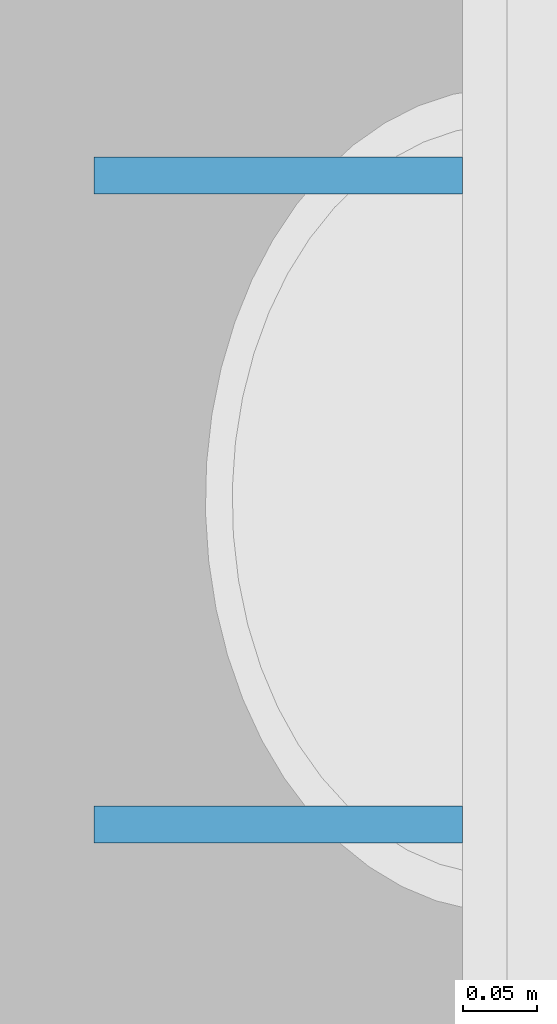
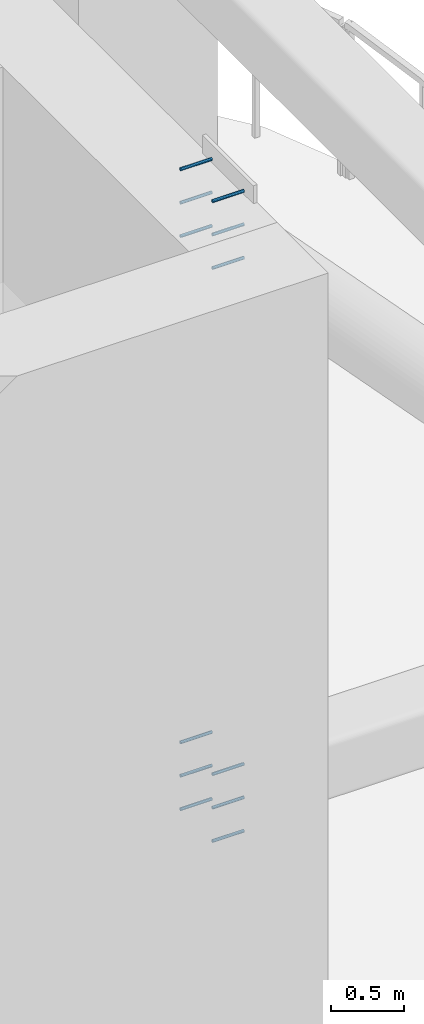
# One storey, part 8 of 11: 12 discrete accessories.
"""IFC4 building model written with IfcOpenShell, lengths in metres."""

from ifc_helpers import new_model, si_unit, direction, frame, origin, origin_2d, place, context, subcontext, project, spatial, circle, extrude, source, transform, mapped, material, material_profile, profile_set, type_object, element, save


model = new_model("IFC4")

# Units and contexts
model_context = context("Model", 3, precision=1e-05, world=origin(), true_north=direction((0.0, 1.0)))
body_context = subcontext(model_context, "Body", "Model", "MODEL_VIEW")
ifc_project = project(units=[si_unit("LENGTHUNIT", "METRE"), si_unit("AREAUNIT", "SQUARE_METRE"), si_unit("VOLUMEUNIT", "CUBIC_METRE"), si_unit("PLANEANGLEUNIT", "RADIAN"), si_unit("MASSUNIT", "GRAM", prefix="KILO")], contexts=[model_context])

# Site, building, storey
site_placement = place(None, origin())
site = spatial("IfcSite", under=ifc_project, at=site_placement, CompositionType="ELEMENT")
building_placement = place(site_placement, origin())
building = spatial("IfcBuilding", under=site, at=building_placement, Name="Trellis Farm Tower", CompositionType="ELEMENT")
storey_placement = place(building_placement, frame((0.0, 0.0, 212.699951171875)))
storey = spatial("IfcBuildingStorey", under=building, at=storey_placement, Name="L47", CompositionType="ELEMENT", Elevation=212.699951171875)

# Discrete accessories
ifc_material = material(Name="Steel S235J2", Category="steel")
ifc_material_profile = material_profile(ifc_material, circle(Radius=0.012451171875, at=origin_2d()), Name="Headed anchor stud 25x250")
ifc_profile_set = profile_set([ifc_material_profile], Name="Steel S235J2")
discrete_accessory_type = type_object("IfcDiscreteAccessoryType", Name="Headed anchor stud 25x250", PredefinedType="USERDEFINED", material=ifc_profile_set)
shared_shape = source(origin(), body_context, "Body", "SweptSolid", [
    extrude(circle(Radius=0.012451171875, at=origin_2d()), origin(), (0.0, 0.0, 1.0), 0.25),
])
for number, where, z_axis, x_axis, name in (
    (1, (22.719970703125, -5.39501953125, 2.469970703125), (-1.0, 0.0, 0.0), (0.0, -1.0, 0.0), "Headed anchor stud"),
    (2, (22.719970703125, -4.955078125, 2.469970703125), (-1.0, 0.0, 0.0), (0.0, -1.0, 0.0), "Headed anchor stud"),
    (3, (22.719970703125, -5.39501953125, 2.75), (-1.0, 0.0, 0.0), (0.0, -1.0, 0.0), "Headed anchor stud"),
    (4, (22.719970703125, -4.955078125, 2.75), (-1.0, 0.0, 0.0), (0.0, -1.0, 0.0), "Headed anchor stud"),
    (5, (22.719970703125, -5.39501953125, 3.030029296875), (-1.0, 0.0, 0.0), (0.0, -1.0, 0.0), "Headed anchor stud"),
    (6, (22.719970703125, -4.955078125, 3.030029296875), (-1.0, 0.0, 0.0), (0.0, -1.0, 0.0), "Headed anchor stud"),
    (7, (22.719970703125, -5.39501953125, 7.27001953125), (-1.0, 0.0, 0.0), (0.0, -1.0, 0.0), "Headed anchor stud"),
    (8, (22.719970703125, -4.955078125, 7.27001953125), (-1.0, 0.0, 0.0), (0.0, -1.0, 0.0), "Headed anchor stud"),
    (9, (22.719970703125, -5.39501953125, 7.550048828125), (-1.0, 0.0, 0.0), (0.0, -1.0, 0.0), "Headed anchor stud"),
    (10, (22.719970703125, -4.955078125, 7.550048828125), (-1.0, 0.0, 0.0), (0.0, -1.0, 0.0), "Headed anchor stud"),
    (11, (22.719970703125, -5.39501953125, 7.830078125), (-1.0, 0.0, 0.0), (0.0, -1.0, 0.0), "Headed anchor stud"),
    (12, (22.719970703125, -4.955078125, 7.830078125), (-1.0, 0.0, 0.0), (0.0, -1.0, 0.0), "Headed anchor stud"),
):
    element("IfcDiscreteAccessory", number, at=place(storey_placement, frame(where, z_axis=z_axis, x_axis=x_axis)), inside=storey, type_object=discrete_accessory_type, Name=name, ObjectType="Headed anchor stud", PredefinedType="USERDEFINED", context=body_context, shape_type="MappedRepresentation", body=[
        mapped(shared_shape, transform((0.0, 0.0, 0.0))),
    ])

save(model, "model.ifc")
